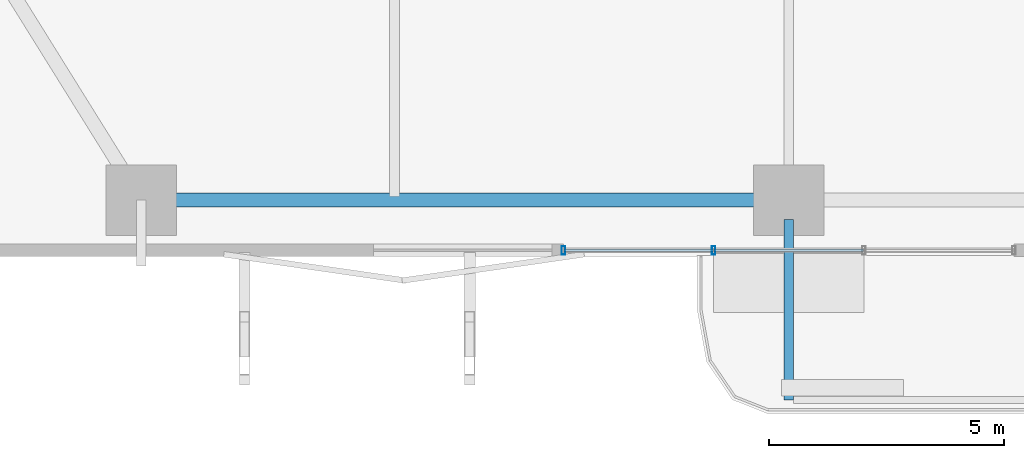
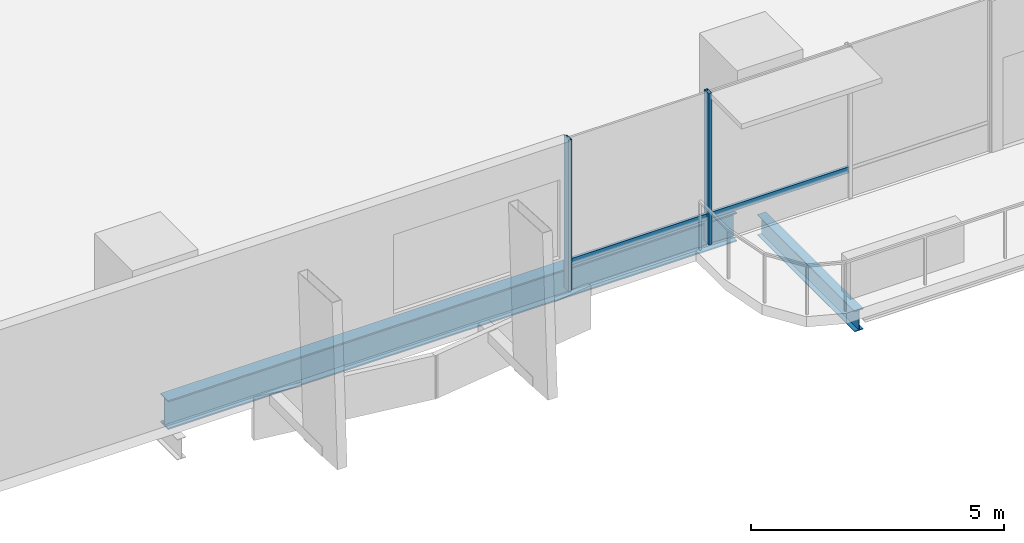
# One storey, part 2 of 23: 4 members, 2 beams, 1 element without a shape of its own.
"""IFC4 building model written with IfcOpenShell, lengths in metres."""

from ifc_helpers import new_model, si_unit, direction, frame, origin, origin_2d, place, context, subcontext, project, spatial, hollow_rectangle, i_section, extrude, material, layer, layer_set, material_profile, profile_set, type_object, element, aggregate, save


model = new_model("IFC4")

# Units and contexts
model_context = context("Model", 3, precision=1e-05, world=origin(), true_north=direction((0.0, 1.0)))
body_context = subcontext(model_context, "Body", "Model", "MODEL_VIEW")
ifc_project = project(units=[si_unit("LENGTHUNIT", "METRE"), si_unit("AREAUNIT", "SQUARE_METRE"), si_unit("VOLUMEUNIT", "CUBIC_METRE"), si_unit("PLANEANGLEUNIT", "RADIAN"), si_unit("MASSUNIT", "GRAM", prefix="KILO")], contexts=[model_context])

# Site, building, storey
site_placement = place(None, origin())
site = spatial("IfcSite", under=ifc_project, at=site_placement, CompositionType="ELEMENT")
building_placement = place(site_placement, origin())
building = spatial("IfcBuilding", under=site, at=building_placement, Name="Belovzor Exchange Tower", CompositionType="ELEMENT")
storey_placement = place(building_placement, frame((0.0, 0.0, 57.300048828125)))
storey = spatial("IfcBuildingStorey", under=building, at=storey_placement, Name="L13", CompositionType="ELEMENT", Elevation=57.300048828125)

# Beam
ifc_material_1 = material(Name="Steel S355", Category="steel")
ifc_material_profile_1 = material_profile(ifc_material_1, i_section(OverallWidth=0.199951171875, OverallDepth=0.5, WebThickness=0.01025390625, FlangeThickness=0.01611328125, at=origin_2d()))
ifc_profile_set_1 = profile_set([ifc_material_profile_1], Name="Steel S355")
beam_type_1 = type_object("IfcBeamType", Name="Planted Balcony Cantilever Beam IPE 500", PredefinedType="BEAM", material=ifc_profile_set_1)
beam_1_placement = place(storey_placement, frame((28.800048828125, 1.68798828125, -0.5), z_axis=(0.0, -1.0, 0.0), x_axis=(1.0, 0.0, 0.0)))
element("IfcBeam", 1, at=beam_1_placement, inside=storey, type_object=beam_type_1, Name="BC-500 Planted Balcony Cantilever Beam IPE 500", PredefinedType="BEAM", context=body_context, shape_type="SweptSolid", body=[
    extrude(i_section(OverallWidth=0.199951171875, OverallDepth=0.5, WebThickness=0.01025390625, FlangeThickness=0.01611328125, at=origin_2d()), origin(), (0.0, 0.0, 1.0), 3.85009765625),
])

# Curtain wall, members
ifc_material_2 = material(Name="Anodised Aluminium Framing", Category="aluminium")
ifc_layer = layer(ifc_material_2, 0.179931640625)
ifc_layer_set = layer_set([ifc_layer], Name="Anodised Aluminium Framing")
curtain_wall_type = type_object("IfcCurtainWallType", Name="Recessed Loggia Low-Iron Triple-Glazed Curtain Wall", PredefinedType="NOTDEFINED", material=ifc_layer_set)
curtain_wall_placement = place(storey_placement, origin())
curtain_wall = element("IfcCurtainWall", 2, at=curtain_wall_placement, inside=storey, type_object=curtain_wall_type, Name="CW3 Recessed Loggia Low-Iron Triple-Glazed Curtain Wall L13", PredefinedType="NOTDEFINED")
ifc_material_3 = material(Name="Steel S355", Category="steel")
ifc_material_profile_2 = material_profile(ifc_material_3, hollow_rectangle(XDim=0.074951171875, YDim=0.179931640625, WallThickness=0.0048828125, at=origin_2d()))
ifc_profile_set_2 = profile_set([ifc_material_profile_2], Name="Steel S355")
member_type_1 = type_object("IfcMemberType", Name="Thermally Broken Curtain Wall Mullion 180x75", PredefinedType="MULLION", material=ifc_profile_set_2)
member_1_placement = place(storey_placement, frame((27.199951171875, 1.030029296875, 0.0), z_axis=(0.0, 0.0, 1.0), x_axis=(-1.0, 0.0, 0.0)))
member_1 = element("IfcMember", 3, at=member_1_placement, type_object=member_type_1, Name="CW-M180 Curtain Wall Mullion 3", PredefinedType="MULLION", context=body_context, shape_type="SweptSolid", body=[
    extrude(hollow_rectangle(XDim=0.074951171875, YDim=0.179931640625, WallThickness=0.0048828125, at=origin_2d()), origin(), (0.0, 0.0, 1.0), 3.64990234375),
])
member_2_placement = place(storey_placement, frame((24.0, 1.030029296875, 0.0), z_axis=(0.0, 0.0, 1.0), x_axis=(-1.0, 0.0, 0.0)))
member_2 = element("IfcMember", 4, at=member_2_placement, type_object=member_type_1, Name="CW-M180 Curtain Wall Mullion 4", PredefinedType="MULLION", context=body_context, shape_type="SweptSolid", body=[
    extrude(hollow_rectangle(XDim=0.074951171875, YDim=0.179931640625, WallThickness=0.0048828125, at=origin_2d()), origin(), (0.0, 0.0, 1.0), 3.64990234375),
])
ifc_material_4 = material(Name="Steel S355", Category="steel")
ifc_material_profile_3 = material_profile(ifc_material_4, hollow_rectangle(XDim=0.06005859375, YDim=0.14990234375, WallThickness=0.00390625, at=origin_2d()))
ifc_profile_set_3 = profile_set([ifc_material_profile_3], Name="Steel S355")
member_type_2 = type_object("IfcMemberType", Name="Thermally Broken Curtain Wall Transom 150x60", PredefinedType="USERDEFINED", material=ifc_profile_set_3)
member_3_placement = place(storey_placement, frame((30.39208984375, 1.030029296875, 0.64990234375), z_axis=(-1.0, 0.0, 0.0), x_axis=(0.0, -1.0, 0.0)))
member_3 = element("IfcMember", 5, at=member_3_placement, type_object=member_type_2, Name="CW-T150 Curtain Wall Transom 2", ObjectType="TRANSOM", PredefinedType="USERDEFINED", context=body_context, shape_type="SweptSolid", body=[
    extrude(hollow_rectangle(XDim=0.06005859375, YDim=0.14990234375, WallThickness=0.00390625, at=origin_2d()), origin(), (0.0, 0.0, 1.0), 3.18408203125),
])
member_4_placement = place(storey_placement, frame((27.19189453125, 1.030029296875, 0.64990234375), z_axis=(-1.0, 0.0, 0.0), x_axis=(0.0, -1.0, 0.0)))
member_4 = element("IfcMember", 6, at=member_4_placement, type_object=member_type_2, Name="CW-T150 Curtain Wall Transom 3", ObjectType="TRANSOM", PredefinedType="USERDEFINED", context=body_context, shape_type="SweptSolid", body=[
    extrude(hollow_rectangle(XDim=0.06005859375, YDim=0.14990234375, WallThickness=0.00390625, at=origin_2d()), origin(), (0.0, 0.0, 1.0), 3.183837890625),
])
aggregate(curtain_wall, [member_1, member_2, member_3, member_4])

# Beam
ifc_material_5 = material(Name="Steel S355", Category="steel")
ifc_material_profile_4 = material_profile(ifc_material_5, i_section(OverallWidth=0.300048828125, OverallDepth=0.699951171875, WebThickness=0.01708984375, FlangeThickness=0.031982421875, at=origin_2d()))
ifc_profile_set_4 = profile_set([ifc_material_profile_4], Name="Steel S355")
beam_type_2 = type_object("IfcBeamType", Name="Zone 1 Primary Perimeter Girder HEB 700", PredefinedType="BEAM", material=ifc_profile_set_4)
beam_2_placement = place(storey_placement, frame((15.412109375, 2.10009765625, -0.60009765625), z_axis=(1.0, 0.0, 0.0), x_axis=(0.0, 1.0, 0.0)))
element("IfcBeam", 7, at=beam_2_placement, inside=storey, type_object=beam_type_2, Name="FG-Z1 Zone 1 Primary Perimeter Girder HEB 700", PredefinedType="BEAM", context=body_context, shape_type="SweptSolid", body=[
    extrude(i_section(OverallWidth=0.300048828125, OverallDepth=0.699951171875, WebThickness=0.01708984375, FlangeThickness=0.031982421875, at=origin_2d()), origin(), (0.0, 0.0, 1.0), 12.974853515625),
])

save(model, "model.ifc")
